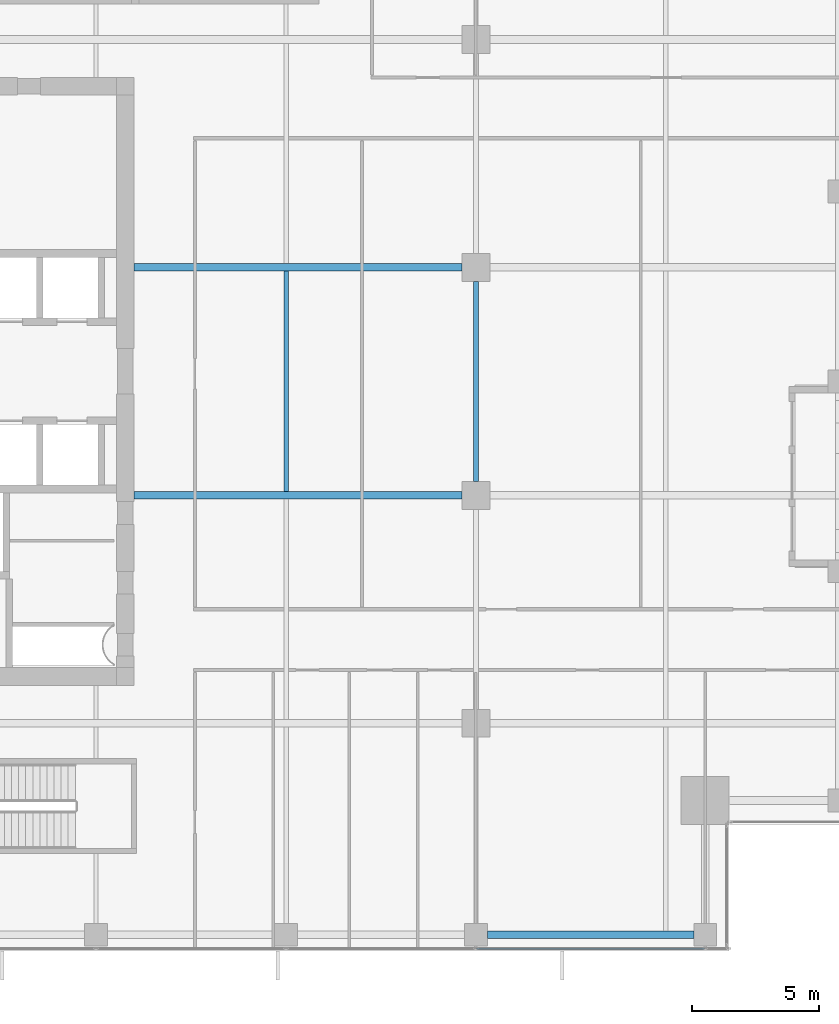
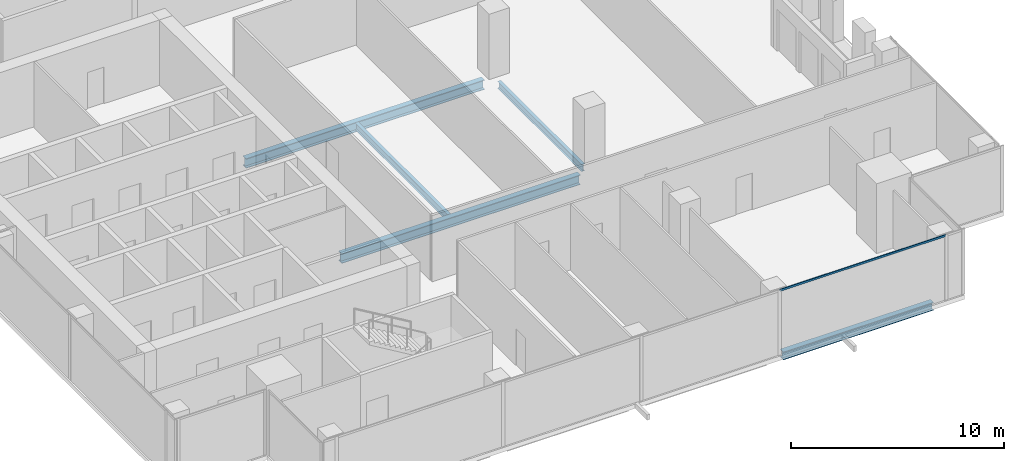
# One storey, part 9 of 36: 5 beams, 1 member, 1 element without a shape of its own.
"""IFC4 building model written with IfcOpenShell, lengths in metres."""

from ifc_helpers import new_model, si_unit, direction, frame, origin, origin_2d, place, context, subcontext, project, spatial, hollow_rectangle, i_section, extrude, source, transform, mapped, material, material_profile, profile_set, type_object, element, aggregate, save


model = new_model("IFC4")

# Units and contexts
model_context = context("Model", 3, precision=1e-05, world=origin(), true_north=direction((0.0, 1.0)))
body_context = subcontext(model_context, "Body", "Model", "MODEL_VIEW")
ifc_project = project(units=[si_unit("LENGTHUNIT", "METRE"), si_unit("AREAUNIT", "SQUARE_METRE"), si_unit("VOLUMEUNIT", "CUBIC_METRE"), si_unit("PLANEANGLEUNIT", "RADIAN"), si_unit("MASSUNIT", "GRAM", prefix="KILO")], contexts=[model_context])

# Site, building, storey
site_placement = place(None, origin())
site = spatial("IfcSite", under=ifc_project, at=site_placement, CompositionType="ELEMENT")
building_placement = place(site_placement, origin())
building = spatial("IfcBuilding", under=site, at=building_placement, Name="Khomas Fold Tower", CompositionType="ELEMENT")
storey_placement = place(building_placement, frame((0.0, 0.0, 226.199951171875)))
storey = spatial("IfcBuildingStorey", under=building, at=storey_placement, Name="L50", CompositionType="ELEMENT", Elevation=226.199951171875)

# Beams
ifc_material_1 = material(Name="Steel S355", Category="steel")
ifc_material_profile_1 = material_profile(ifc_material_1, i_section(OverallWidth=0.179931640625, OverallDepth=0.39990234375, WebThickness=0.008544921875, FlangeThickness=0.013427734375, at=origin_2d()), Name="IPE 400")
ifc_profile_set_1 = profile_set([ifc_material_profile_1], Name="Steel S355")
beam_type_1 = type_object("IfcBeamType", Name="IPE 400 beam JB3", PredefinedType="BEAM", material=ifc_profile_set_1)
shared_shape_1 = source(origin(), body_context, "Body", "SweptSolid", [
    extrude(i_section(OverallWidth=0.179931640625, OverallDepth=0.39990234375, WebThickness=0.008544921875, FlangeThickness=0.013427734375, at=origin_2d()), origin(), (0.0, 0.0, 1.0), 8.7001953125),
])
beam_1_placement = place(storey_placement, frame((27.0, 22.64990234375, -0.449951171875), z_axis=(0.0, 1.0, 0.0), x_axis=(-1.0, 0.0, 0.0)))
element("IfcBeam", 1, at=beam_1_placement, inside=storey, type_object=beam_type_1, Name="JB3", PredefinedType="BEAM", context=body_context, shape_type="MappedRepresentation", body=[
    mapped(shared_shape_1, transform((0.0, 0.0, 0.0))),
])
ifc_material_2 = material(Name="Steel S355", Category="steel")
ifc_material_profile_2 = material_profile(ifc_material_2, i_section(OverallWidth=0.300048828125, OverallDepth=0.449951171875, WebThickness=0.013916015625, FlangeThickness=0.02587890625, at=origin_2d()), Name="HE 450 B")
ifc_profile_set_2 = profile_set([ifc_material_profile_2], Name="Steel S355")
beam_type_2 = type_object("IfcBeamType", Name="HE 450 B spandrel SB4", PredefinedType="SPANDREL", material=ifc_profile_set_2)
shared_shape_2 = source(origin(), body_context, "Body", "SweptSolid", [
    extrude(i_section(OverallWidth=0.300048828125, OverallDepth=0.449951171875, WebThickness=0.013916015625, FlangeThickness=0.02587890625, at=origin_2d()), origin(), (0.0, 0.0, 1.0), 8.150146484375),
])
beam_2_placement = place(storey_placement, frame((34.949951171875, 5.14990234375, -0.474853515625), z_axis=(1.0, 0.0, 0.0), x_axis=(0.0, 1.0, 0.0)))
element("IfcBeam", 2, at=beam_2_placement, inside=storey, type_object=beam_type_2, Name="SB4", PredefinedType="SPANDREL", context=body_context, shape_type="MappedRepresentation", body=[
    mapped(shared_shape_2, transform((0.0, 0.0, 0.0))),
])
ifc_material_3 = material(Name="Steel S355", Category="steel")
ifc_material_profile_3 = material_profile(ifc_material_3, i_section(OverallWidth=0.300048828125, OverallDepth=0.550048828125, WebThickness=0.014892578125, FlangeThickness=0.029052734375, at=origin_2d()), Name="HE 550 B")
ifc_profile_set_3 = profile_set([ifc_material_profile_3], Name="Steel S355")
beam_type_3 = type_object("IfcBeamType", Name="HE 550 B beam GB4", PredefinedType="BEAM", material=ifc_profile_set_3)
shared_shape_3 = source(origin(), body_context, "Body", "SweptSolid", [
    extrude(i_section(OverallWidth=0.300048828125, OverallDepth=0.550048828125, WebThickness=0.014892578125, FlangeThickness=0.029052734375, at=origin_2d()), origin(), (0.0, 0.0, 1.0), 12.949951171875),
])
for number, where, z_axis, x_axis, name in (
    (3, (21.0, 22.5, -0.52490234375), (1.0, 0.0, 0.0), (0.0, 1.0, 0.0), "GB4"),
    (4, (21.0, 31.5, -0.52490234375), (1.0, 0.0, 0.0), (0.0, 1.0, 0.0), "GB4"),
):
    element("IfcBeam", number, at=place(storey_placement, frame(where, z_axis=z_axis, x_axis=x_axis)), inside=storey, type_object=beam_type_3, Name=name, PredefinedType="BEAM", context=body_context, shape_type="MappedRepresentation", body=[
        mapped(shared_shape_3, transform((0.0, 0.0, 0.0))),
    ])
shared_shape_4 = source(origin(), body_context, "Body", "SweptSolid", [
    extrude(i_section(OverallWidth=0.179931640625, OverallDepth=0.39990234375, WebThickness=0.008544921875, FlangeThickness=0.013427734375, at=origin_2d()), origin(), (0.0, 0.0, 1.0), 7.89990234375),
])
beam_3_placement = place(storey_placement, frame((34.5, 23.050048828125, -0.449951171875), z_axis=(0.0, 1.0, 0.0), x_axis=(-1.0, 0.0, 0.0)))
element("IfcBeam", 5, at=beam_3_placement, inside=storey, type_object=beam_type_1, Name="JB3", PredefinedType="BEAM", context=body_context, shape_type="MappedRepresentation", body=[
    mapped(shared_shape_4, transform((0.0, 0.0, 0.0))),
])

# Curtain wall, member
ifc_material_4 = material(Name="Aluminium framed double glazing", Category="aluminium")
curtain_wall_type = type_object("IfcCurtainWallType", Name="SK-Unitised clear-glass wall, office floors CW2", PredefinedType="NOTDEFINED", material=ifc_material_4)
curtain_wall_placement = place(storey_placement, origin())
curtain_wall = element("IfcCurtainWall", 6, at=curtain_wall_placement, inside=storey, type_object=curtain_wall_type, Name="CW2 run L50 00-0", PredefinedType="NOTDEFINED")
ifc_material_5 = material(Name="Aluminium", Category="aluminium")
ifc_material_profile_4 = material_profile(ifc_material_5, hollow_rectangle(XDim=0.050048828125, YDim=0.110107421875, WallThickness=0.00390625, at=origin_2d()), Name="SK-Unitised clear-glass wall, office floors transom CW2-T")
ifc_profile_set_4 = profile_set([ifc_material_profile_4], Name="Aluminium")
member_type = type_object("IfcMemberType", Name="SK-Unitised clear-glass wall, office floors transom CW2-T", PredefinedType="USERDEFINED", material=ifc_profile_set_4)
shared_shape_5 = source(origin(), body_context, "Body", "SweptSolid", [
    extrude(hollow_rectangle(XDim=0.050048828125, YDim=0.110107421875, WallThickness=0.00390625, at=origin_2d()), origin(), (0.0, 0.0, 1.0), 8.989990234375),
])
member_placement = place(storey_placement, frame((34.530029296875, 4.60009765625, 3.695068359375), z_axis=(1.0, 0.0, 0.0), x_axis=(0.0, 1.0, 0.0)))
member = element("IfcMember", 7, at=member_placement, type_object=member_type, Name="CW2 transom 5", ObjectType="TRANSOM", PredefinedType="USERDEFINED", context=body_context, shape_type="MappedRepresentation", body=[
    mapped(shared_shape_5, transform((0.0, 0.0, 0.0))),
])
aggregate(curtain_wall, [member])

save(model, "model.ifc")
